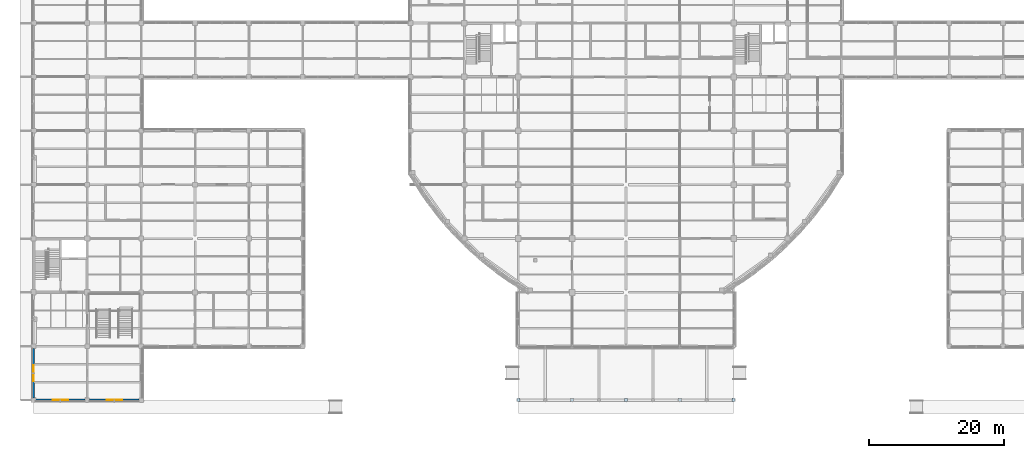
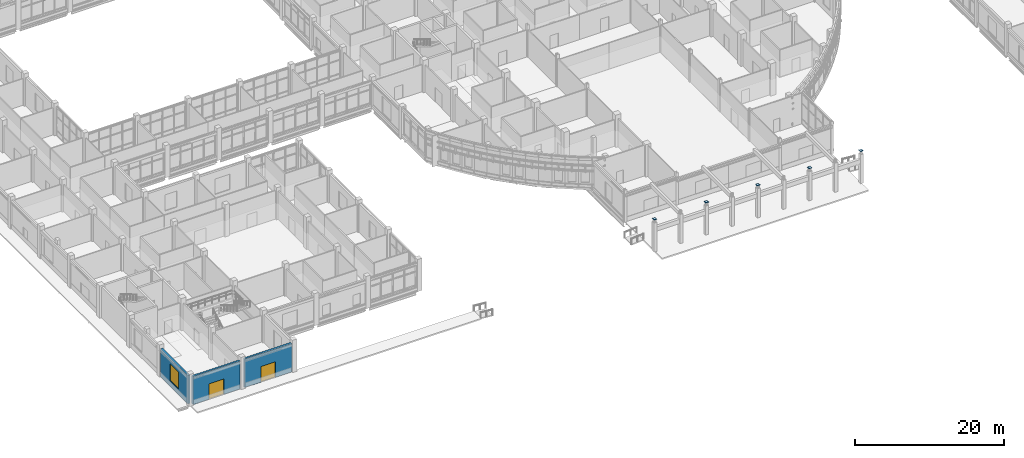
# One storey, part 58 of 105: 5 plates, 3 walls, 2 doors, 1 window, 3 openings.
"""IFC4 building model written with IfcOpenShell, lengths in metres."""

from ifc_helpers import new_model, si_unit, derived_unit, direction, frame, frame_2d, origin, origin_2d, place, context, subcontext, project, spatial, rectangle, extrude, material, layer, layer_set, type_object, element, fill, save


model = new_model("IFC4")

# Units and contexts
model_context = context("Model", 3, precision=1e-05, world=origin(), true_north=direction((0.0, 1.0)))
body_context = subcontext(model_context, "Body", "Model", "MODEL_VIEW")
ifc_project = project(units=[si_unit("LENGTHUNIT", "METRE"), si_unit("AREAUNIT", "SQUARE_METRE"), si_unit("VOLUMEUNIT", "CUBIC_METRE"), si_unit("PLANEANGLEUNIT", "RADIAN"), si_unit("MASSUNIT", "GRAM", prefix="KILO"), derived_unit("THERMALTRANSMITTANCEUNIT", [(si_unit("MASSUNIT", "GRAM", prefix="KILO"), 1), (si_unit("TIMEUNIT", "SECOND"), -3), (si_unit("THERMODYNAMICTEMPERATUREUNIT", "KELVIN"), -1)])], contexts=[model_context])

# Site, building, storey
site_placement = place(None, origin())
site = spatial("IfcSite", under=ifc_project, at=site_placement, CompositionType="ELEMENT")
building_placement = place(site_placement, origin())
building = spatial("IfcBuilding", under=site, at=building_placement, Name="Veyamyaing Civic Hall", CompositionType="ELEMENT")
storey_placement = place(building_placement, origin())
storey = spatial("IfcBuildingStorey", under=building, at=storey_placement, Name="L00", CompositionType="ELEMENT", Elevation=0.0)

# Plates
ifc_material_1 = material(Name="Steel S355J2", Category="steel")
ifc_layer_1 = layer(ifc_material_1, 0.02392578125, Name="Steel S355J2")
ifc_layer_set_1 = layer_set([ifc_layer_1], Name="Steel S355J2")
plate_type = type_object("IfcPlateType", Name="GP-05", PredefinedType="SHEET", material=ifc_layer_set_1)
for number, where, z_axis, x_axis, name in (
    (1, (72.0, 0.0, 5.280029296875), (0.0, 0.0, 1.0), (1.0, 0.0, 0.0), "Colonnade column cap plate GP-05 9-0"),
    (2, (80.0, 0.0, 5.280029296875), (0.0, 0.0, 1.0), (1.0, 0.0, 0.0), "Colonnade column cap plate GP-05 10-0"),
    (3, (88.0, 0.0, 5.280029296875), (0.0, 0.0, 1.0), (1.0, 0.0, 0.0), "Colonnade column cap plate GP-05 11-0"),
    (4, (96.0, 0.0, 5.280029296875), (0.0, 0.0, 1.0), (1.0, 0.0, 0.0), "Colonnade column cap plate GP-05 12-0"),
    (5, (104.0, 0.0, 5.280029296875), (0.0, 0.0, 1.0), (1.0, 0.0, 0.0), "Colonnade column cap plate GP-05 13-0"),
):
    element("IfcPlate", number, at=place(storey_placement, frame(where, z_axis=z_axis, x_axis=x_axis)), inside=storey, type_object=plate_type, Name=name, PredefinedType="SHEET", context=body_context, shape_type="SweptSolid", body=[
        extrude(rectangle(XDim=0.449951171875, YDim=0.449951171875, at=origin_2d()), origin(), (0.0, 0.0, 1.0), 0.02392578125),
    ])

# Wall, opening, door
ifc_material_2 = material(Name="Precast concrete C40/50", Category="concrete")
ifc_layer_2 = layer(ifc_material_2, 0.320068359375, Name="Precast concrete C40/50")
ifc_layer_set_2 = layer_set([ifc_layer_2], Name="Precast concrete C40/50")
wall_type = type_object("IfcWallType", Name="WT-02", PredefinedType="SOLIDWALL", material=ifc_layer_set_2)
wall_1_placement = place(storey_placement, frame((0.3349609375, 0.0, 0.0), z_axis=(0.0, 0.0, 1.0), x_axis=(1.0, 0.0, 0.0)))
wall_1 = element("IfcWall", 6, at=wall_1_placement, inside=storey, type_object=wall_type, Name="Exterior facade wall WT-02 L00 S 1.1", PredefinedType="SOLIDWALL", context=body_context, shape_type="SweptSolid", body=[
    extrude(rectangle(XDim=7.330078125, YDim=0.320068359375, at=frame_2d((3.6650390625, 0.0))), origin(), (0.0, 0.0, 1.0), 4.610107421875),
])
opening_1_placement = place(wall_1_placement, frame((2.514892578125, 0.0, 0.0)))
opening_1 = element("IfcOpeningElement", 7, at=opening_1_placement, cuts=wall_1, Name="Opening D-21", PredefinedType="OPENING", context=body_context, shape_type="SweptSolid", body=[
    extrude(rectangle(XDim=2.300048828125, YDim=2.550048828125, at=frame_2d((1.14990234375, 1.27490234375))), frame((0.0, 0.169921875, 0.0), z_axis=(0.0, -1.0, 0.0), x_axis=(1.0, 0.0, 0.0)), (0.0, 0.0, 1.0), 0.340087890625),
])
ifc_material_3 = material(Name="Anodised aluminium 6063-T6", Category="aluminium")
door_type = type_object("IfcDoorType", Name="D-21", OperationType="DOUBLE_DOOR_SINGLE_SWING", PredefinedType="DOOR", material=ifc_material_3)
door_1_placement = place(opening_1_placement, frame((2.300048828125, 0.0, 0.0), z_axis=(0.0, 0.0, 1.0), x_axis=(-1.0, 0.0, 0.0)))
door_1 = element("IfcDoor", 8, at=door_1_placement, inside=storey, type_object=door_type, Name="Main pedestrian final exit EX-01", OperationType="DOUBLE_DOOR_SINGLE_SWING", OverallHeight=2.550048828125, OverallWidth=2.300048828125, PredefinedType="DOOR", context=body_context, shape_type="SweptSolid", body=[
    extrude(rectangle(XDim=2.300048828125, YDim=2.550048828125, at=frame_2d((1.14990234375, 1.27490234375))), frame((0.0, 0.02490234375, 0.0), z_axis=(0.0, -1.0, 0.0), x_axis=(1.0, 0.0, 0.0)), (0.0, 0.0, 1.0), 0.050048828125),
])
fill(opening_1, door_1)

# Wall, opening, window
wall_2_placement = place(storey_placement, frame((0.0, 0.3349609375, 0.0), z_axis=(0.0, 0.0, 1.0), x_axis=(0.0, 1.0, 0.0)))
wall_2 = element("IfcWall", 9, at=wall_2_placement, inside=storey, type_object=wall_type, Name="Exterior facade wall WT-02 L00 W 1.1", PredefinedType="SOLIDWALL", context=body_context, shape_type="SweptSolid", body=[
    extrude(rectangle(XDim=7.330078125, YDim=0.320068359375, at=frame_2d((3.6650390625, 0.0))), origin(), (0.0, 0.0, 1.0), 4.610107421875),
])
opening_2_placement = place(wall_2_placement, frame((2.465087890625, 0.0, 0.89990234375)))
opening_2 = element("IfcOpeningElement", 10, at=opening_2_placement, cuts=wall_2, Name="Opening W-01", PredefinedType="OPENING", context=body_context, shape_type="SweptSolid", body=[
    extrude(rectangle(XDim=2.39990234375, YDim=2.800048828125, at=frame_2d((1.199951171875, 1.39990234375))), frame((0.0, 0.169921875, 0.0), z_axis=(0.0, -1.0, 0.0), x_axis=(1.0, 0.0, 0.0)), (0.0, 0.0, 1.0), 0.340087890625),
])
ifc_material_4 = material(Name="Low-E insulated glass", Category="glass")
window_type = type_object("IfcWindowType", Name="W-01", PartitioningType="SINGLE_PANEL", PredefinedType="WINDOW", material=ifc_material_4)
window_placement = place(opening_2_placement, origin())
window = element("IfcWindow", 11, at=window_placement, inside=storey, type_object=window_type, Name="Facade window W-01 L00 W 1.1", OverallHeight=2.800048828125, OverallWidth=2.39990234375, PartitioningType="SINGLE_PANEL", PredefinedType="WINDOW", context=body_context, shape_type="SweptSolid", body=[
    extrude(rectangle(XDim=2.39990234375, YDim=2.800048828125, at=frame_2d((1.199951171875, 1.39990234375))), frame((0.0, 0.030029296875, 0.0), z_axis=(0.0, -1.0, 0.0), x_axis=(1.0, 0.0, 0.0)), (0.0, 0.0, 1.0), 0.06005859375),
])
fill(opening_2, window)

# Wall, opening, door
wall_3_placement = place(storey_placement, frame((8.3349609375, 0.0, 0.0), z_axis=(0.0, 0.0, 1.0), x_axis=(1.0, 0.0, 0.0)))
wall_3 = element("IfcWall", 12, at=wall_3_placement, inside=storey, type_object=wall_type, Name="Exterior facade wall WT-02 L00 S 2.1", PredefinedType="SOLIDWALL", context=body_context, shape_type="SweptSolid", body=[
    extrude(rectangle(XDim=7.330078125, YDim=0.320068359375, at=frame_2d((3.6650390625, 0.0))), origin(), (0.0, 0.0, 1.0), 4.674072265625),
])
opening_3_placement = place(wall_3_placement, frame((2.514892578125, 0.0, 0.0)))
opening_3 = element("IfcOpeningElement", 13, at=opening_3_placement, cuts=wall_3, Name="Opening D-21", PredefinedType="OPENING", context=body_context, shape_type="SweptSolid", body=[
    extrude(rectangle(XDim=2.300048828125, YDim=2.550048828125, at=frame_2d((1.14990234375, 1.27490234375))), frame((0.0, 0.169921875, 0.0), z_axis=(0.0, -1.0, 0.0), x_axis=(1.0, 0.0, 0.0)), (0.0, 0.0, 1.0), 0.340087890625),
])
door_2_placement = place(opening_3_placement, frame((2.300048828125, 0.0, 0.0), z_axis=(0.0, 0.0, 1.0), x_axis=(-1.0, 0.0, 0.0)))
door_2 = element("IfcDoor", 14, at=door_2_placement, inside=storey, type_object=door_type, Name="Main pedestrian final exit EX-05", OperationType="DOUBLE_DOOR_SINGLE_SWING", OverallHeight=2.550048828125, OverallWidth=2.300048828125, PredefinedType="DOOR", context=body_context, shape_type="SweptSolid", body=[
    extrude(rectangle(XDim=2.300048828125, YDim=2.550048828125, at=frame_2d((1.14990234375, 1.27490234375))), frame((0.0, 0.02490234375, 0.0), z_axis=(0.0, -1.0, 0.0), x_axis=(1.0, 0.0, 0.0)), (0.0, 0.0, 1.0), 0.050048828125),
])
fill(opening_3, door_2)

save(model, "model.ifc")
